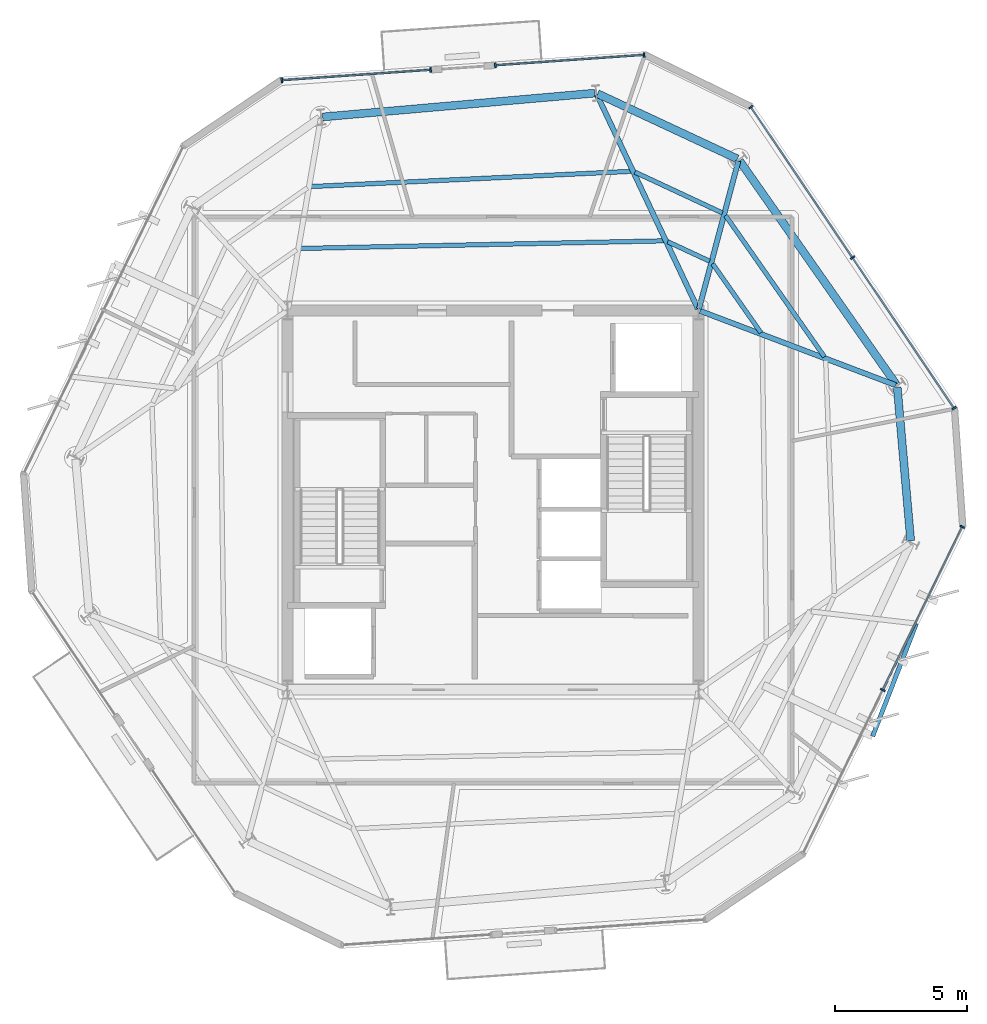
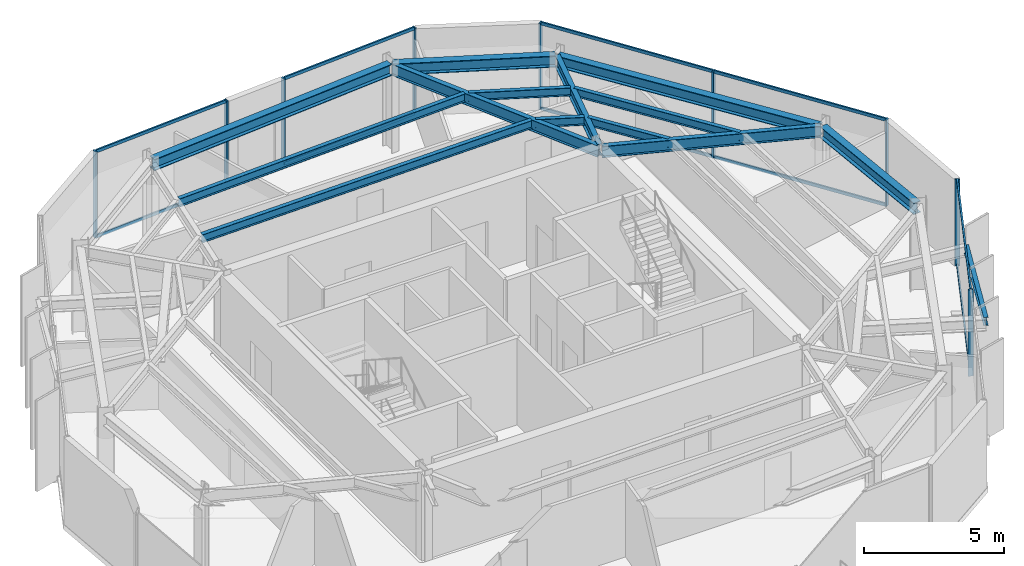
# One storey, part 5 of 13: 19 members, 14 beams, 4 elements without a shape of their own.
"""IFC4 building model written with IfcOpenShell, lengths in metres."""

from ifc_helpers import new_model, si_unit, direction, frame, origin, origin_2d, place, context, subcontext, project, spatial, rectangle, i_section, extrude, material, layer, layer_set, material_profile, profile_set, type_object, element, aggregate, save


model = new_model("IFC4")

# Units and contexts
model_context = context("Model", 3, precision=1e-05, world=origin(), true_north=direction((0.0, 1.0)))
body_context = subcontext(model_context, "Body", "Model", "MODEL_VIEW")
ifc_project = project(units=[si_unit("LENGTHUNIT", "METRE"), si_unit("AREAUNIT", "SQUARE_METRE"), si_unit("VOLUMEUNIT", "CUBIC_METRE"), si_unit("PLANEANGLEUNIT", "RADIAN"), si_unit("MASSUNIT", "GRAM", prefix="KILO")], contexts=[model_context])

# Site, building, storey
site_placement = place(None, origin())
site = spatial("IfcSite", under=ifc_project, at=site_placement, CompositionType="ELEMENT")
building_placement = place(site_placement, origin())
building = spatial("IfcBuilding", under=site, at=building_placement, Name="Kranzbogen Civic Tower", CompositionType="ELEMENT")
storey_placement = place(building_placement, frame((0.0, 0.0, 282.199951171875)))
storey = spatial("IfcBuildingStorey", under=building, at=storey_placement, Name="L68", CompositionType="ELEMENT", Elevation=282.199951171875)

# Curtain wall, members
ifc_material_1 = material(Name="Pale Anodised Aluminium", Category="aluminium")
ifc_layer = layer(ifc_material_1, 0.219970703125, Name="Pale Anodised Aluminium")
ifc_layer_set = layer_set([ifc_layer], Name="Pale Anodised Aluminium")
curtain_wall_type = type_object("IfcCurtainWallType", Name="Zone 4 Stick Curtain Wall System CW-05", PredefinedType="USERDEFINED", material=ifc_layer_set)
curtain_wall_1_placement = place(storey_placement, origin())
curtain_wall_1 = element("IfcCurtainWall", 1, at=curtain_wall_1_placement, inside=storey, type_object=curtain_wall_type, Name="L68 curtain wall CW-L68-F1-S1", ObjectType="STICK CURTAIN WALL", PredefinedType="USERDEFINED")
ifc_material_profile_1 = material_profile(ifc_material_1, rectangle(XDim=0.06494140625, YDim=0.179931640625, at=origin_2d()), Name="ALU-M 65x180")
ifc_profile_set_1 = profile_set([ifc_material_profile_1], Name="Pale Anodised Aluminium")
member_type_1 = type_object("IfcMemberType", Name="Curtain Wall Mullion ALU-M 65x180", PredefinedType="MULLION", material=ifc_profile_set_1)
member_1_placement = place(storey_placement, frame((30.72802734375, 41.89501953125, 0.0), z_axis=(0.0, 0.0, 1.0), x_axis=(-0.997566629401, -0.069719580503, 0.0)))
member_1 = element("IfcMember", 2, at=member_1_placement, type_object=member_type_1, Name="CW-05 mullion 1", PredefinedType="MULLION", context=body_context, shape_type="SweptSolid", body=[
    extrude(rectangle(XDim=0.06494140625, YDim=0.179931640625, at=origin_2d()), origin(), (0.0, 0.0, 1.0), 3.780029296875),
])
member_2_placement = place(storey_placement, frame((25.078857421875, 41.5, 0.0), z_axis=(0.0, 0.0, 1.0), x_axis=(-0.997566629401, -0.069719580503, 0.0)))
member_2 = element("IfcMember", 3, at=member_2_placement, type_object=member_type_1, Name="CW-05 mullion 2", PredefinedType="MULLION", context=body_context, shape_type="SweptSolid", body=[
    extrude(rectangle(XDim=0.06494140625, YDim=0.179931640625, at=origin_2d()), origin(), (0.0, 0.0, 1.0), 3.780029296875),
])

curtain_wall_2_placement = place(storey_placement, origin())
curtain_wall_2 = element("IfcCurtainWall", 4, at=curtain_wall_2_placement, inside=storey, type_object=curtain_wall_type, Name="L68 curtain wall CW-L68-F1-S2", ObjectType="STICK CURTAIN WALL", PredefinedType="USERDEFINED")
member_3_placement = place(storey_placement, frame((22.625, 41.327880859375, 0.0), z_axis=(0.0, 0.0, 1.0), x_axis=(-0.997565779819, -0.069731735481, 0.0)))
member_3 = element("IfcMember", 5, at=member_3_placement, type_object=member_type_1, Name="CW-05 mullion 1", PredefinedType="MULLION", context=body_context, shape_type="SweptSolid", body=[
    extrude(rectangle(XDim=0.06494140625, YDim=0.179931640625, at=origin_2d()), origin(), (0.0, 0.0, 1.0), 3.780029296875),
])
member_4_placement = place(storey_placement, frame((16.976806640625, 40.93310546875, 0.0), z_axis=(0.0, 0.0, 1.0), x_axis=(-0.997565779819, -0.069731735481, 0.0)))
member_4 = element("IfcMember", 6, at=member_4_placement, type_object=member_type_1, Name="CW-05 mullion 2", PredefinedType="MULLION", context=body_context, shape_type="SweptSolid", body=[
    extrude(rectangle(XDim=0.06494140625, YDim=0.179931640625, at=origin_2d()), origin(), (0.0, 0.0, 1.0), 3.780029296875),
])

curtain_wall_3_placement = place(storey_placement, origin())
curtain_wall_3 = element("IfcCurtainWall", 7, at=curtain_wall_3_placement, inside=storey, type_object=curtain_wall_type, Name="L68 curtain wall CW-L68-F5", ObjectType="STICK CURTAIN WALL", PredefinedType="USERDEFINED")
member_5_placement = place(storey_placement, frame((39.7890625, 17.787109375, 0.0), z_axis=(0.0, 0.0, 1.0), x_axis=(0.438292703672, 0.898832301327, 0.0)))
member_5 = element("IfcMember", 8, at=member_5_placement, type_object=member_type_1, Name="CW-05 mullion 2", PredefinedType="MULLION", context=body_context, shape_type="SweptSolid", body=[
    extrude(rectangle(XDim=0.06494140625, YDim=0.179931640625, at=origin_2d()), origin(), (0.0, 0.0, 1.0), 3.780029296875),
])
member_6_placement = place(storey_placement, frame((42.809814453125, 23.98193359375, 0.0), z_axis=(0.0, 0.0, 1.0), x_axis=(0.438292703672, 0.898832301327, 0.0)))
member_6 = element("IfcMember", 9, at=member_6_placement, type_object=member_type_1, Name="CW-05 mullion 3", PredefinedType="MULLION", context=body_context, shape_type="SweptSolid", body=[
    extrude(rectangle(XDim=0.06494140625, YDim=0.179931640625, at=origin_2d()), origin(), (0.0, 0.0, 1.0), 3.780029296875),
])

curtain_wall_4_placement = place(storey_placement, origin())
curtain_wall_4 = element("IfcCurtainWall", 10, at=curtain_wall_4_placement, inside=storey, type_object=curtain_wall_type, Name="L68 curtain wall CW-L68-F6", ObjectType="STICK CURTAIN WALL", PredefinedType="USERDEFINED")
member_7_placement = place(storey_placement, frame((42.496337890625, 28.48779296875, 0.0), z_axis=(0.0, 0.0, 1.0), x_axis=(-0.559275594958, 0.828981790442, 0.0)))
member_7 = element("IfcMember", 11, at=member_7_placement, type_object=member_type_1, Name="CW-05 mullion 1", PredefinedType="MULLION", context=body_context, shape_type="SweptSolid", body=[
    extrude(rectangle(XDim=0.06494140625, YDim=0.179931640625, at=origin_2d()), origin(), (0.0, 0.0, 1.0), 3.780029296875),
])
member_8_placement = place(storey_placement, frame((38.6416015625, 34.201416015625, 0.0), z_axis=(0.0, 0.0, 1.0), x_axis=(-0.559275594958, 0.828981790442, 0.0)))
member_8 = element("IfcMember", 12, at=member_8_placement, type_object=member_type_1, Name="CW-05 mullion 2", PredefinedType="MULLION", context=body_context, shape_type="SweptSolid", body=[
    extrude(rectangle(XDim=0.06494140625, YDim=0.179931640625, at=origin_2d()), origin(), (0.0, 0.0, 1.0), 3.780029296875),
])
member_9_placement = place(storey_placement, frame((34.786865234375, 39.9150390625, 0.0), z_axis=(0.0, 0.0, 1.0), x_axis=(-0.559275594958, 0.828981790442, 0.0)))
member_9 = element("IfcMember", 13, at=member_9_placement, type_object=member_type_1, Name="CW-05 mullion 3", PredefinedType="MULLION", context=body_context, shape_type="SweptSolid", body=[
    extrude(rectangle(XDim=0.06494140625, YDim=0.179931640625, at=origin_2d()), origin(), (0.0, 0.0, 1.0), 3.780029296875),
])

# Member
ifc_material_profile_2 = material_profile(ifc_material_1, rectangle(XDim=0.06494140625, YDim=0.135009765625, at=origin_2d()), Name="ALU-T 65x135")
ifc_profile_set_2 = profile_set([ifc_material_profile_2], Name="Pale Anodised Aluminium")
member_type_2 = type_object("IfcMemberType", Name="Curtain Wall Transom ALU-T 65x135", PredefinedType="USERDEFINED", material=ifc_profile_set_2)
member_10_placement = place(storey_placement, frame((30.6982421875, 41.892822265625, 0.030029296875), z_axis=(-0.997566791832, -0.069717256352, 0.0), x_axis=(0.069717256352, -0.997566791832, 0.0)))
member_10 = element("IfcMember", 14, at=member_10_placement, type_object=member_type_2, Name="CW-05 transom 1.1", ObjectType="TRANSOM", PredefinedType="USERDEFINED", context=body_context, shape_type="SweptSolid", body=[
    extrude(rectangle(XDim=0.06494140625, YDim=0.135009765625, at=origin_2d()), origin(), (0.0, 0.0, 1.0), 5.60302734375),
])

member_11_placement = place(storey_placement, frame((30.6982421875, 41.892822265625, 3.75), z_axis=(-0.997566791832, -0.069717256352, 0.0), x_axis=(0.069717256352, -0.997566791832, 0.0)))
member_11 = element("IfcMember", 15, at=member_11_placement, type_object=member_type_2, Name="CW-05 transom 1.2", ObjectType="TRANSOM", PredefinedType="USERDEFINED", context=body_context, shape_type="SweptSolid", body=[
    extrude(rectangle(XDim=0.06494140625, YDim=0.135009765625, at=origin_2d()), origin(), (0.0, 0.0, 1.0), 5.60302734375),
])

aggregate(curtain_wall_1, [member_1, member_2, member_10, member_11])

member_12_placement = place(storey_placement, frame((22.59521484375, 41.325927734375, 0.030029296875), z_axis=(-0.99756594446, -0.069729380128, 0.0), x_axis=(0.069729380128, -0.99756594446, 0.0)))
member_12 = element("IfcMember", 16, at=member_12_placement, type_object=member_type_2, Name="CW-05 transom 1.1", ObjectType="TRANSOM", PredefinedType="USERDEFINED", context=body_context, shape_type="SweptSolid", body=[
    extrude(rectangle(XDim=0.06494140625, YDim=0.135009765625, at=origin_2d()), origin(), (0.0, 0.0, 1.0), 5.60205078125),
])

member_13_placement = place(storey_placement, frame((22.59521484375, 41.325927734375, 3.75), z_axis=(-0.99756594446, -0.069729380128, 0.0), x_axis=(0.069729380128, -0.99756594446, 0.0)))
member_13 = element("IfcMember", 17, at=member_13_placement, type_object=member_type_2, Name="CW-05 transom 1.2", ObjectType="TRANSOM", PredefinedType="USERDEFINED", context=body_context, shape_type="SweptSolid", body=[
    extrude(rectangle(XDim=0.06494140625, YDim=0.135009765625, at=origin_2d()), origin(), (0.0, 0.0, 1.0), 5.60205078125),
])

aggregate(curtain_wall_2, [member_3, member_4, member_12, member_13])

member_14_placement = place(storey_placement, frame((39.80224609375, 17.81396484375, 0.030029296875), z_axis=(0.438272260385, 0.898842269688, 0.0), x_axis=(-0.898842269688, 0.438272260385, 0.0)))
member_14 = element("IfcMember", 18, at=member_14_placement, type_object=member_type_2, Name="CW-05 transom 2.1", ObjectType="TRANSOM", PredefinedType="USERDEFINED", context=body_context, shape_type="SweptSolid", body=[
    extrude(rectangle(XDim=0.06494140625, YDim=0.135009765625, at=origin_2d()), origin(), (0.0, 0.0, 1.0), 6.832275390625),
])

member_15_placement = place(storey_placement, frame((39.80224609375, 17.81396484375, 3.75), z_axis=(0.438272260385, 0.898842269688, 0.0), x_axis=(-0.898842269688, 0.438272260385, 0.0)))
member_15 = element("IfcMember", 19, at=member_15_placement, type_object=member_type_2, Name="CW-05 transom 2.2", ObjectType="TRANSOM", PredefinedType="USERDEFINED", context=body_context, shape_type="SweptSolid", body=[
    extrude(rectangle(XDim=0.06494140625, YDim=0.135009765625, at=origin_2d()), origin(), (0.0, 0.0, 1.0), 6.832275390625),
])

aggregate(curtain_wall_3, [member_5, member_6, member_14, member_15])

member_16_placement = place(storey_placement, frame((42.4794921875, 28.5126953125, 0.030029296875), z_axis=(-0.559293026102, 0.82897003019, 0.0), x_axis=(-0.82897003019, -0.559293026102, 0.0)))
member_16 = element("IfcMember", 20, at=member_16_placement, type_object=member_type_2, Name="CW-05 transom 1.1", ObjectType="TRANSOM", PredefinedType="USERDEFINED", context=body_context, shape_type="SweptSolid", body=[
    extrude(rectangle(XDim=0.06494140625, YDim=0.135009765625, at=origin_2d()), origin(), (0.0, 0.0, 1.0), 6.832275390625),
])

member_17_placement = place(storey_placement, frame((42.4794921875, 28.5126953125, 3.75), z_axis=(-0.559293026102, 0.82897003019, 0.0), x_axis=(-0.82897003019, -0.559293026102, 0.0)))
member_17 = element("IfcMember", 21, at=member_17_placement, type_object=member_type_2, Name="CW-05 transom 1.2", ObjectType="TRANSOM", PredefinedType="USERDEFINED", context=body_context, shape_type="SweptSolid", body=[
    extrude(rectangle(XDim=0.06494140625, YDim=0.135009765625, at=origin_2d()), origin(), (0.0, 0.0, 1.0), 6.832275390625),
])

member_18_placement = place(storey_placement, frame((38.624755859375, 34.226318359375, 0.030029296875), z_axis=(-0.559276459331, 0.828981207289, 0.0), x_axis=(-0.828981207289, -0.559276459331, 0.0)))
member_18 = element("IfcMember", 22, at=member_18_placement, type_object=member_type_2, Name="CW-05 transom 2.1", ObjectType="TRANSOM", PredefinedType="USERDEFINED", context=body_context, shape_type="SweptSolid", body=[
    extrude(rectangle(XDim=0.06494140625, YDim=0.135009765625, at=origin_2d()), origin(), (0.0, 0.0, 1.0), 6.83251953125),
])

member_19_placement = place(storey_placement, frame((38.624755859375, 34.226318359375, 3.75), z_axis=(-0.559276459331, 0.828981207289, 0.0), x_axis=(-0.828981207289, -0.559276459331, 0.0)))
member_19 = element("IfcMember", 23, at=member_19_placement, type_object=member_type_2, Name="CW-05 transom 2.2", ObjectType="TRANSOM", PredefinedType="USERDEFINED", context=body_context, shape_type="SweptSolid", body=[
    extrude(rectangle(XDim=0.06494140625, YDim=0.135009765625, at=origin_2d()), origin(), (0.0, 0.0, 1.0), 6.83251953125),
])

aggregate(curtain_wall_4, [member_7, member_8, member_9, member_16, member_17, member_18, member_19])

# Beams
ifc_material_2 = material(Name="Steel S355", Category="steel")
ifc_material_profile_3 = material_profile(ifc_material_2, i_section(OverallWidth=0.300048828125, OverallDepth=0.5, WebThickness=0.014404296875, FlangeThickness=0.028076171875, at=origin_2d()), Name="HEB 500")
ifc_profile_set_3 = profile_set([ifc_material_profile_3], Name="Steel S355")
beam_type_1 = type_object("IfcBeamType", Name="Perimeter Tube Spandrel Beam HEB 500", PredefinedType="SPANDREL", material=ifc_profile_set_3)
beam_1_placement = place(storey_placement, frame((40.85009765625, 23.449951171875, 3.530029296875), z_axis=(-0.087326362434, 0.99617975608, 0.0), x_axis=(-0.99617975608, -0.087326362434, 0.0)))
element("IfcBeam", 24, at=beam_1_placement, inside=storey, type_object=beam_type_1, Name="L68 perimeter spandrel beam 06", PredefinedType="SPANDREL", context=body_context, shape_type="SweptSolid", body=[
    extrude(i_section(OverallWidth=0.300048828125, OverallDepth=0.5, WebThickness=0.014404296875, FlangeThickness=0.028076171875, at=origin_2d()), origin(), (0.0, 0.0, 1.0), 5.8515625),
])
beam_2_placement = place(storey_placement, frame((40.300048828125, 29.387939453125, 3.530029296875), z_axis=(-0.573577759301, 0.819151117948, 0.0), x_axis=(-0.819151117948, -0.573577759301, 0.0)))
element("IfcBeam", 25, at=beam_2_placement, inside=storey, type_object=beam_type_1, Name="L68 perimeter spandrel beam 07", PredefinedType="SPANDREL", context=body_context, shape_type="SweptSolid", body=[
    extrude(i_section(OverallWidth=0.300048828125, OverallDepth=0.5, WebThickness=0.014404296875, FlangeThickness=0.028076171875, at=origin_2d()), origin(), (0.0, 0.0, 1.0), 10.36328125),
])
beam_3_placement = place(storey_placement, frame((34.26806640625, 37.950927734375, 3.530029296875), z_axis=(-0.906289661556, 0.422657129784, 0.0), x_axis=(-0.422657129784, -0.906289661556, 0.0)))
element("IfcBeam", 26, at=beam_3_placement, inside=storey, type_object=beam_type_1, Name="L68 perimeter spandrel beam 08", PredefinedType="SPANDREL", context=body_context, shape_type="SweptSolid", body=[
    extrude(i_section(OverallWidth=0.300048828125, OverallDepth=0.5, WebThickness=0.014404296875, FlangeThickness=0.028076171875, at=origin_2d()), origin(), (0.0, 0.0, 1.0), 5.853759765625),
])
beam_4_placement = place(storey_placement, frame((28.84912109375, 40.445068359375, 3.530029296875), z_axis=(-0.996186373839, -0.087250837114, 0.0), x_axis=(0.087250837114, -0.996186373839, 0.0)))
element("IfcBeam", 27, at=beam_4_placement, inside=storey, type_object=beam_type_1, Name="L68 perimeter spandrel beam 09", PredefinedType="SPANDREL", context=body_context, shape_type="SweptSolid", body=[
    extrude(i_section(OverallWidth=0.300048828125, OverallDepth=0.5, WebThickness=0.014404296875, FlangeThickness=0.028076171875, at=origin_2d()), origin(), (0.0, 0.0, 1.0), 10.361572265625),
])
ifc_material_profile_4 = material_profile(ifc_material_2, i_section(OverallWidth=0.199951171875, OverallDepth=0.5, WebThickness=0.01025390625, FlangeThickness=0.01611328125, at=origin_2d()), Name="IPE 500")
ifc_profile_set_4 = profile_set([ifc_material_profile_4], Name="Steel S355")
beam_type_2 = type_object("IfcBeamType", Name="Radial Tower Floor Girder IPE 500", PredefinedType="BEAM", material=ifc_profile_set_4)
beam_5_placement = place(storey_placement, frame((40.278076171875, 29.360107421875, 3.530029296875), z_axis=(-0.934848709689, 0.355046320913, 0.0), x_axis=(-0.355046320913, -0.934848709689, 0.0)))
element("IfcBeam", 28, at=beam_5_placement, inside=storey, type_object=beam_type_2, Name="L68 radial floor girder 07", PredefinedType="BEAM", context=body_context, shape_type="SweptSolid", body=[
    extrude(i_section(OverallWidth=0.199951171875, OverallDepth=0.5, WebThickness=0.01025390625, FlangeThickness=0.01611328125, at=origin_2d()), origin(), (0.0, 0.0, 1.0), 7.939453125),
])
beam_6_placement = place(storey_placement, frame((34.306884765625, 37.867919921875, 3.530029296875), z_axis=(-0.257016017622, -0.966407143333, 0.0), x_axis=(0.966407143333, -0.257016017622, 0.0)))
element("IfcBeam", 29, at=beam_6_placement, inside=storey, type_object=beam_type_2, Name="L68 radial floor girder 08", PredefinedType="BEAM", context=body_context, shape_type="SweptSolid", body=[
    extrude(i_section(OverallWidth=0.199951171875, OverallDepth=0.5, WebThickness=0.01025390625, FlangeThickness=0.01611328125, at=origin_2d()), origin(), (0.0, 0.0, 1.0), 5.804931640625),
])
beam_7_placement = place(storey_placement, frame((28.93505859375, 40.39599609375, 3.530029296875), z_axis=(0.426460441273, -0.904506214478, 0.0), x_axis=(0.904506214478, 0.426460441273, 0.0)))
element("IfcBeam", 30, at=beam_7_placement, inside=storey, type_object=beam_type_2, Name="L68 radial floor girder 09", PredefinedType="BEAM", context=body_context, shape_type="SweptSolid", body=[
    extrude(i_section(OverallWidth=0.199951171875, OverallDepth=0.5, WebThickness=0.01025390625, FlangeThickness=0.01611328125, at=origin_2d()), origin(), (0.0, 0.0, 1.0), 9.001708984375),
])
ifc_material_profile_5 = material_profile(ifc_material_2, i_section(OverallWidth=0.169921875, OverallDepth=0.360107421875, WebThickness=0.008056640625, FlangeThickness=0.0126953125, at=origin_2d()), Name="IPE 360")
ifc_profile_set_5 = profile_set([ifc_material_profile_5], Name="Steel S355")
beam_type_3 = type_object("IfcBeamType", Name="Secondary Composite Floor Joist IPE 360", PredefinedType="JOIST", material=ifc_profile_set_5)
beam_8_placement = place(storey_placement, frame((37.575927734375, 30.43408203125, 3.60009765625), z_axis=(-0.573499872939, 0.819205649235, 0.0), x_axis=(-0.819205649235, -0.573499872939, 0.0)))
element("IfcBeam", 31, at=beam_8_placement, inside=storey, type_object=beam_type_3, Name="L68 secondary floor joist 1.07", PredefinedType="JOIST", context=body_context, shape_type="SweptSolid", body=[
    extrude(i_section(OverallWidth=0.169921875, OverallDepth=0.360107421875, WebThickness=0.008056640625, FlangeThickness=0.0126953125, at=origin_2d()), origin(), (0.0, 0.0, 1.0), 6.549072265625),
])
beam_9_placement = place(storey_placement, frame((35.1650390625, 31.35009765625, 3.60009765625), z_axis=(-0.573498248491, 0.819206786457, 0.0), x_axis=(-0.819206786457, -0.573498248491, 0.0)))
element("IfcBeam", 32, at=beam_9_placement, inside=storey, type_object=beam_type_3, Name="L68 secondary floor joist 2.07", PredefinedType="JOIST", context=body_context, shape_type="SweptSolid", body=[
    extrude(i_section(OverallWidth=0.169921875, OverallDepth=0.360107421875, WebThickness=0.008056640625, FlangeThickness=0.0126953125, at=origin_2d()), origin(), (0.0, 0.0, 1.0), 3.194580078125),
])
beam_10_placement = place(storey_placement, frame((33.701904296875, 35.89794921875, 3.60009765625), z_axis=(-0.906303996948, 0.422626389517, 0.0), x_axis=(-0.422626389517, -0.906303996948, 0.0)))
element("IfcBeam", 33, at=beam_10_placement, inside=storey, type_object=beam_type_3, Name="L68 secondary floor joist 1.08", PredefinedType="JOIST", context=body_context, shape_type="SweptSolid", body=[
    extrude(i_section(OverallWidth=0.169921875, OverallDepth=0.360107421875, WebThickness=0.008056640625, FlangeThickness=0.0126953125, at=origin_2d()), origin(), (0.0, 0.0, 1.0), 3.6630859375),
])
beam_11_placement = place(storey_placement, frame((33.215087890625, 34.06591796875, 3.60009765625), z_axis=(-0.906432174342, 0.422351409751, 0.0), x_axis=(-0.422351409751, -0.906432174342, 0.0)))
element("IfcBeam", 34, at=beam_11_placement, inside=storey, type_object=beam_type_3, Name="L68 secondary floor joist 2.08", PredefinedType="JOIST", context=body_context, shape_type="SweptSolid", body=[
    extrude(i_section(OverallWidth=0.169921875, OverallDepth=0.360107421875, WebThickness=0.008056640625, FlangeThickness=0.0126953125, at=origin_2d()), origin(), (0.0, 0.0, 1.0), 1.751953125),
])
beam_12_placement = place(storey_placement, frame((30.22998046875, 37.47607421875, 3.60009765625), z_axis=(-0.998871634781, -0.047491654324, 0.0), x_axis=(0.047491654324, -0.998871634781, 0.0)))
element("IfcBeam", 35, at=beam_12_placement, inside=storey, type_object=beam_type_3, Name="L68 secondary floor joist 1.09", PredefinedType="JOIST", context=body_context, shape_type="SweptSolid", body=[
    extrude(i_section(OverallWidth=0.169921875, OverallDepth=0.360107421875, WebThickness=0.008056640625, FlangeThickness=0.0126953125, at=origin_2d()), origin(), (0.0, 0.0, 1.0), 12.152587890625),
])
beam_13_placement = place(storey_placement, frame((31.47509765625, 34.837890625, 3.60009765625), z_axis=(-0.999780746893, -0.020939392104, 0.0), x_axis=(0.020939392104, -0.999780746893, 0.0)))
element("IfcBeam", 36, at=beam_13_placement, inside=storey, type_object=beam_type_3, Name="L68 secondary floor joist 2.09", PredefinedType="JOIST", context=body_context, shape_type="SweptSolid", body=[
    extrude(i_section(OverallWidth=0.169921875, OverallDepth=0.360107421875, WebThickness=0.008056640625, FlangeThickness=0.0126953125, at=origin_2d()), origin(), (0.0, 0.0, 1.0), 13.79296875),
])
beam_14_placement = place(storey_placement, frame((39.406005859375, 16.031982421875, 3.570068359375), z_axis=(0.361986586715, 0.932183303347, 0.0), x_axis=(-0.932183303347, 0.361986586715, 0.0)))
element("IfcBeam", 37, at=beam_14_placement, inside=storey, type_object=beam_type_3, Name="L69 terrace outer edge trimmer L69-TB1", PredefinedType="JOIST", context=body_context, shape_type="SweptSolid", body=[
    extrude(i_section(OverallWidth=0.169921875, OverallDepth=0.360107421875, WebThickness=0.008056640625, FlangeThickness=0.0126953125, at=origin_2d()), origin(), (0.0, 0.0, 1.0), 4.58837890625),
])

save(model, "model.ifc")
